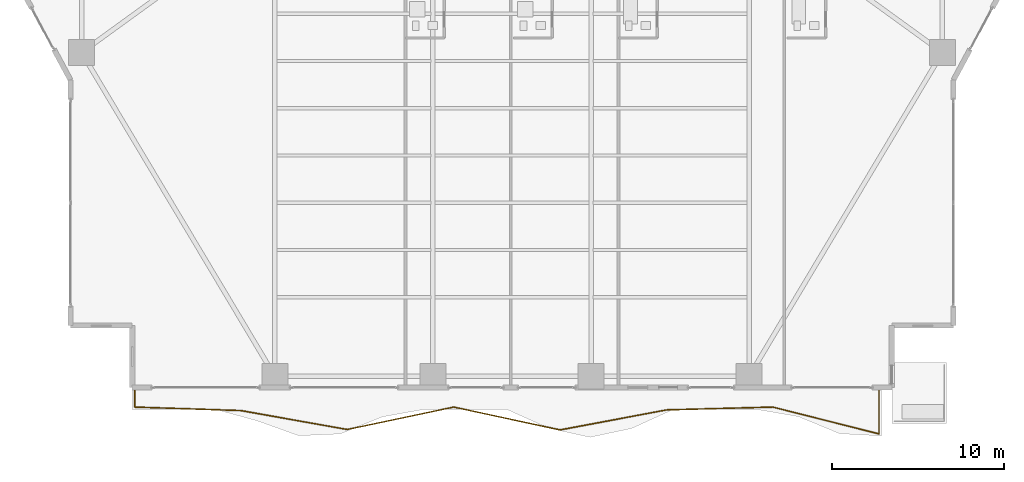
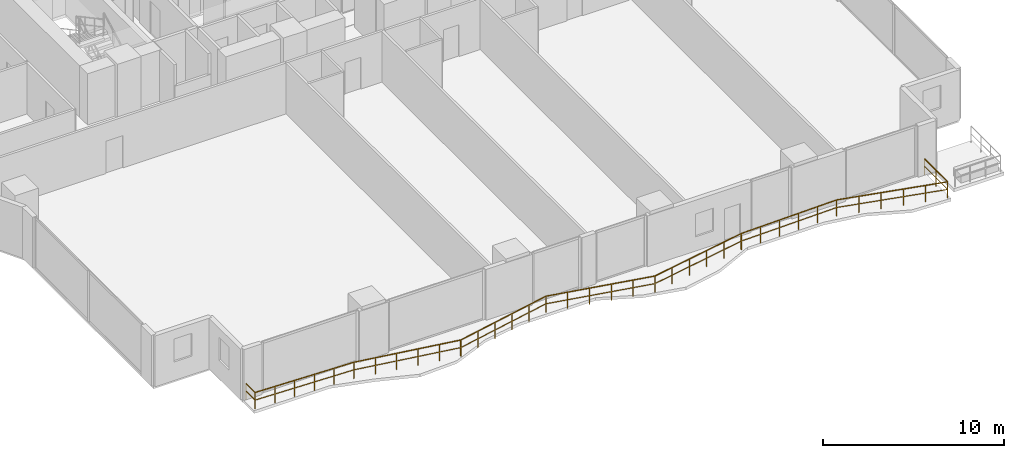
# One storey, part 24 of 30: 1 railing.
"""IFC4 building model written with IfcOpenShell, lengths in metres."""

from ifc_helpers import new_model, si_unit, direction, frame, origin, origin_2d, place, context, subcontext, project, spatial, rectangle, extrude, material, type_object, element, save


model = new_model("IFC4")

# Units and contexts
model_context = context("Model", 3, precision=1e-05, world=origin(), true_north=direction((0.0, 1.0)))
body_context = subcontext(model_context, "Body", "Model", "MODEL_VIEW")
ifc_project = project(units=[si_unit("LENGTHUNIT", "METRE"), si_unit("AREAUNIT", "SQUARE_METRE"), si_unit("VOLUMEUNIT", "CUBIC_METRE"), si_unit("PLANEANGLEUNIT", "RADIAN"), si_unit("MASSUNIT", "GRAM", prefix="KILO")], contexts=[model_context])

# Site, building, storey
site_placement = place(None, origin())
site = spatial("IfcSite", under=ifc_project, at=site_placement, CompositionType="ELEMENT")
building_placement = place(site_placement, origin())
building = spatial("IfcBuilding", under=site, at=building_placement, Name="Zuhayl Quay Hotel", CompositionType="ELEMENT")
storey_placement = place(building_placement, frame((0.0, 0.0, 82.35009765625)))
storey = spatial("IfcBuildingStorey", under=building, at=storey_placement, Name="L20", CompositionType="ELEMENT", Elevation=82.35009765625)

# Railing
ifc_material = material(Name="Anodised Aluminium and Laminated Glass", Category="aluminium")
railing_type = type_object("IfcRailingType", Name="RL_EXT_BAL_1100", PredefinedType="BALUSTRADE", material=ifc_material)
railing_placement = place(storey_placement, frame((-21.9599609375, -23.219970703125, 0.0)))
element("IfcRailing", 1, at=railing_placement, inside=storey, type_object=railing_type, Name="L20 Balcony and Terrace Guard GR_L20_BAL_S", PredefinedType="BALUSTRADE", context=body_context, shape_type="SweptSolid", body=[
    extrude(rectangle(XDim=0.048095703125, YDim=0.048095703125, at=origin_2d()), frame((0.0, 0.0, 1.09619140625), z_axis=(0.0, -1.0, 0.0), x_axis=(1.0, 0.0, 0.0)), (0.0, 0.0, 1.0), 1.02001953125),
    extrude(rectangle(XDim=0.0361328125, YDim=0.0361328125, at=origin_2d()), frame((0.0, 0.0, 0.58251953125), z_axis=(0.0, -1.0, 0.0), x_axis=(1.0, 0.0, 0.0)), (0.0, 0.0, 1.0), 1.02001953125),
    extrude(rectangle(XDim=0.048095703125, YDim=0.048095703125, at=origin_2d()), frame((0.0, -1.02001953125, 1.09619140625), z_axis=(0.99945397211, -0.033041755903, 0.0), x_axis=(0.033041755903, 0.99945397211, 0.0)), (0.0, 0.0, 1.0), 6.19189453125),
    extrude(rectangle(XDim=0.0361328125, YDim=0.0361328125, at=origin_2d()), frame((0.0, -1.02001953125, 0.58251953125), z_axis=(0.99945397211, -0.033041755903, 0.0), x_axis=(0.033041755903, 0.99945397211, 0.0)), (0.0, 0.0, 1.0), 6.19189453125),
    extrude(rectangle(XDim=0.048095703125, YDim=0.048095703125, at=origin_2d()), frame((6.1884765625, -1.224609375, 1.09619140625), z_axis=(0.984577973976, -0.174946315085, 0.0), x_axis=(0.174946315085, 0.984577973976, 0.0)), (0.0, 0.0, 1.0), 6.285400390625),
    extrude(rectangle(XDim=0.0361328125, YDim=0.0361328125, at=origin_2d()), frame((6.1884765625, -1.224609375, 0.58251953125), z_axis=(0.984577973976, -0.174946315085, 0.0), x_axis=(0.174946315085, 0.984577973976, 0.0)), (0.0, 0.0, 1.0), 6.285400390625),
    extrude(rectangle(XDim=0.048095703125, YDim=0.048095703125, at=origin_2d()), frame((12.376953125, -2.32421875, 1.09619140625), z_axis=(0.9785079893, 0.206208910759, 0.0), x_axis=(-0.206208910759, 0.9785079893, 0.0)), (0.0, 0.0, 1.0), 6.32470703125),
    extrude(rectangle(XDim=0.0361328125, YDim=0.0361328125, at=origin_2d()), frame((12.376953125, -2.32421875, 0.58251953125), z_axis=(0.9785079893, 0.206208910759, 0.0), x_axis=(-0.206208910759, 0.9785079893, 0.0)), (0.0, 0.0, 1.0), 6.32470703125),
    extrude(rectangle(XDim=0.048095703125, YDim=0.048095703125, at=origin_2d()), frame((18.565673828125, -1.02001953125, 1.09619140625), z_axis=(0.977697302992, -0.210019008, 0.0), x_axis=(0.210019008, 0.977697302992, 0.0)), (0.0, 0.0, 1.0), 6.32958984375),
    extrude(rectangle(XDim=0.0361328125, YDim=0.0361328125, at=origin_2d()), frame((18.565673828125, -1.02001953125, 0.58251953125), z_axis=(0.977697302992, -0.210019008, 0.0), x_axis=(0.210019008, 0.977697302992, 0.0)), (0.0, 0.0, 1.0), 6.32958984375),
    extrude(rectangle(XDim=0.048095703125, YDim=0.048095703125, at=origin_2d()), frame((24.754150390625, -2.349365234375, 1.09619140625), z_axis=(0.982801449376, 0.184665403108, 0.0), x_axis=(-0.184665403108, 0.982801449376, 0.0)), (0.0, 0.0, 1.0), 6.297119140625),
    extrude(rectangle(XDim=0.0361328125, YDim=0.0361328125, at=origin_2d()), frame((24.754150390625, -2.349365234375, 0.58251953125), z_axis=(0.982801449376, 0.184665403108, 0.0), x_axis=(-0.184665403108, 0.982801449376, 0.0)), (0.0, 0.0, 1.0), 6.297119140625),
    extrude(rectangle(XDim=0.048095703125, YDim=0.048095703125, at=origin_2d()), frame((30.94287109375, -1.1865234375, 1.09619140625), z_axis=(0.999638244082, 0.026895742562, 0.0), x_axis=(-0.026895742562, 0.999638244082, 0.0)), (0.0, 0.0, 1.0), 6.190673828125),
    extrude(rectangle(XDim=0.0361328125, YDim=0.0361328125, at=origin_2d()), frame((30.94287109375, -1.1865234375, 0.58251953125), z_axis=(0.999638244082, 0.026895742562, 0.0), x_axis=(-0.026895742562, 0.999638244082, 0.0)), (0.0, 0.0, 1.0), 6.190673828125),
    extrude(rectangle(XDim=0.048095703125, YDim=0.048095703125, at=origin_2d()), frame((37.13134765625, -1.02001953125, 1.09619140625), z_axis=(0.96967492472, -0.24439832317, 0.0), x_axis=(0.24439832317, 0.96967492472, 0.0)), (0.0, 0.0, 1.0), 6.38232421875),
    extrude(rectangle(XDim=0.0361328125, YDim=0.0361328125, at=origin_2d()), frame((37.13134765625, -1.02001953125, 0.58251953125), z_axis=(0.96967492472, -0.24439832317, 0.0), x_axis=(0.24439832317, 0.96967492472, 0.0)), (0.0, 0.0, 1.0), 6.38232421875),
    extrude(rectangle(XDim=0.048095703125, YDim=0.048095703125, at=origin_2d()), frame((43.320068359375, -2.579833984375, 1.09619140625), z_axis=(0.0, 1.0, 0.0), x_axis=(-1.0, 0.0, 0.0)), (0.0, 0.0, 1.0), 2.579833984375),
    extrude(rectangle(XDim=0.0361328125, YDim=0.0361328125, at=origin_2d()), frame((43.320068359375, -2.579833984375, 0.58251953125), z_axis=(0.0, 1.0, 0.0), x_axis=(-1.0, 0.0, 0.0)), (0.0, 0.0, 1.0), 2.579833984375),
    extrude(rectangle(XDim=0.0419921875, YDim=0.0419921875, at=origin_2d()), origin(), (0.0, 0.0, 1.0), 1.072021484375),
    extrude(rectangle(XDim=0.0419921875, YDim=0.0419921875, at=origin_2d()), frame((0.0, -1.02001953125, 0.0)), (0.0, 0.0, 1.0), 1.072021484375),
    extrude(rectangle(XDim=0.0419921875, YDim=0.0419921875, at=origin_2d()), frame((1.23779296875, -1.06103515625, 0.0)), (0.0, 0.0, 1.0), 1.072021484375),
    extrude(rectangle(XDim=0.0419921875, YDim=0.0419921875, at=origin_2d()), frame((2.475341796875, -1.101806640625, 0.0)), (0.0, 0.0, 1.0), 1.072021484375),
    extrude(rectangle(XDim=0.0419921875, YDim=0.0419921875, at=origin_2d()), frame((3.713134765625, -1.142822265625, 0.0)), (0.0, 0.0, 1.0), 1.072021484375),
    extrude(rectangle(XDim=0.0419921875, YDim=0.0419921875, at=origin_2d()), frame((4.95068359375, -1.18359375, 0.0)), (0.0, 0.0, 1.0), 1.072021484375),
    extrude(rectangle(XDim=0.0419921875, YDim=0.0419921875, at=origin_2d()), frame((6.1884765625, -1.224609375, 0.0)), (0.0, 0.0, 1.0), 1.072021484375),
    extrude(rectangle(XDim=0.0419921875, YDim=0.0419921875, at=origin_2d()), frame((7.42626953125, -1.444580078125, 0.0)), (0.0, 0.0, 1.0), 1.072021484375),
    extrude(rectangle(XDim=0.0419921875, YDim=0.0419921875, at=origin_2d()), frame((8.663818359375, -1.66455078125, 0.0)), (0.0, 0.0, 1.0), 1.072021484375),
    extrude(rectangle(XDim=0.0419921875, YDim=0.0419921875, at=origin_2d()), frame((9.901611328125, -1.88427734375, 0.0)), (0.0, 0.0, 1.0), 1.072021484375),
    extrude(rectangle(XDim=0.0419921875, YDim=0.0419921875, at=origin_2d()), frame((11.13916015625, -2.104248046875, 0.0)), (0.0, 0.0, 1.0), 1.072021484375),
    extrude(rectangle(XDim=0.0419921875, YDim=0.0419921875, at=origin_2d()), frame((12.376953125, -2.32421875, 0.0)), (0.0, 0.0, 1.0), 1.072021484375),
    extrude(rectangle(XDim=0.0419921875, YDim=0.0419921875, at=origin_2d()), frame((13.61474609375, -2.0634765625, 0.0)), (0.0, 0.0, 1.0), 1.072021484375),
    extrude(rectangle(XDim=0.0419921875, YDim=0.0419921875, at=origin_2d()), frame((14.8525390625, -1.802490234375, 0.0)), (0.0, 0.0, 1.0), 1.072021484375),
    extrude(rectangle(XDim=0.0419921875, YDim=0.0419921875, at=origin_2d()), frame((16.090087890625, -1.541748046875, 0.0)), (0.0, 0.0, 1.0), 1.072021484375),
    extrude(rectangle(XDim=0.0419921875, YDim=0.0419921875, at=origin_2d()), frame((17.327880859375, -1.28076171875, 0.0)), (0.0, 0.0, 1.0), 1.072021484375),
    extrude(rectangle(XDim=0.0419921875, YDim=0.0419921875, at=origin_2d()), frame((18.565673828125, -1.02001953125, 0.0)), (0.0, 0.0, 1.0), 1.072021484375),
    extrude(rectangle(XDim=0.0419921875, YDim=0.0419921875, at=origin_2d()), frame((19.803466796875, -1.285888671875, 0.0)), (0.0, 0.0, 1.0), 1.072021484375),
    extrude(rectangle(XDim=0.0419921875, YDim=0.0419921875, at=origin_2d()), frame((21.041015625, -1.5517578125, 0.0)), (0.0, 0.0, 1.0), 1.072021484375),
    extrude(rectangle(XDim=0.0419921875, YDim=0.0419921875, at=origin_2d()), frame((22.27880859375, -1.817626953125, 0.0)), (0.0, 0.0, 1.0), 1.072021484375),
    extrude(rectangle(XDim=0.0419921875, YDim=0.0419921875, at=origin_2d()), frame((23.516357421875, -2.08349609375, 0.0)), (0.0, 0.0, 1.0), 1.072021484375),
    extrude(rectangle(XDim=0.0419921875, YDim=0.0419921875, at=origin_2d()), frame((24.754150390625, -2.349365234375, 0.0)), (0.0, 0.0, 1.0), 1.072021484375),
    extrude(rectangle(XDim=0.0419921875, YDim=0.0419921875, at=origin_2d()), frame((25.991943359375, -2.11669921875, 0.0)), (0.0, 0.0, 1.0), 1.072021484375),
    extrude(rectangle(XDim=0.0419921875, YDim=0.0419921875, at=origin_2d()), frame((27.229736328125, -1.88427734375, 0.0)), (0.0, 0.0, 1.0), 1.072021484375),
    extrude(rectangle(XDim=0.0419921875, YDim=0.0419921875, at=origin_2d()), frame((28.46728515625, -1.651611328125, 0.0)), (0.0, 0.0, 1.0), 1.072021484375),
    extrude(rectangle(XDim=0.0419921875, YDim=0.0419921875, at=origin_2d()), frame((29.705078125, -1.419189453125, 0.0)), (0.0, 0.0, 1.0), 1.072021484375),
    extrude(rectangle(XDim=0.0419921875, YDim=0.0419921875, at=origin_2d()), frame((30.94287109375, -1.1865234375, 0.0)), (0.0, 0.0, 1.0), 1.072021484375),
    extrude(rectangle(XDim=0.0419921875, YDim=0.0419921875, at=origin_2d()), frame((32.1806640625, -1.1533203125, 0.0)), (0.0, 0.0, 1.0), 1.072021484375),
    extrude(rectangle(XDim=0.0419921875, YDim=0.0419921875, at=origin_2d()), frame((33.418212890625, -1.119873046875, 0.0)), (0.0, 0.0, 1.0), 1.072021484375),
    extrude(rectangle(XDim=0.0419921875, YDim=0.0419921875, at=origin_2d()), frame((34.656005859375, -1.086669921875, 0.0)), (0.0, 0.0, 1.0), 1.072021484375),
    extrude(rectangle(XDim=0.0419921875, YDim=0.0419921875, at=origin_2d()), frame((35.8935546875, -1.05322265625, 0.0)), (0.0, 0.0, 1.0), 1.072021484375),
    extrude(rectangle(XDim=0.0419921875, YDim=0.0419921875, at=origin_2d()), frame((37.13134765625, -1.02001953125, 0.0)), (0.0, 0.0, 1.0), 1.072021484375),
    extrude(rectangle(XDim=0.0419921875, YDim=0.0419921875, at=origin_2d()), frame((38.369140625, -1.33203125, 0.0)), (0.0, 0.0, 1.0), 1.072021484375),
    extrude(rectangle(XDim=0.0419921875, YDim=0.0419921875, at=origin_2d()), frame((39.60693359375, -1.64404296875, 0.0)), (0.0, 0.0, 1.0), 1.072021484375),
    extrude(rectangle(XDim=0.0419921875, YDim=0.0419921875, at=origin_2d()), frame((40.844482421875, -1.955810546875, 0.0)), (0.0, 0.0, 1.0), 1.072021484375),
    extrude(rectangle(XDim=0.0419921875, YDim=0.0419921875, at=origin_2d()), frame((42.082275390625, -2.267822265625, 0.0)), (0.0, 0.0, 1.0), 1.072021484375),
    extrude(rectangle(XDim=0.0419921875, YDim=0.0419921875, at=origin_2d()), frame((43.320068359375, -2.579833984375, 0.0)), (0.0, 0.0, 1.0), 1.072021484375),
    extrude(rectangle(XDim=0.0419921875, YDim=0.0419921875, at=origin_2d()), frame((43.320068359375, -1.2900390625, 0.0)), (0.0, 0.0, 1.0), 1.072021484375),
    extrude(rectangle(XDim=0.0419921875, YDim=0.0419921875, at=origin_2d()), frame((43.320068359375, 0.0, 0.0)), (0.0, 0.0, 1.0), 1.072021484375),
])

save(model, "model.ifc")
